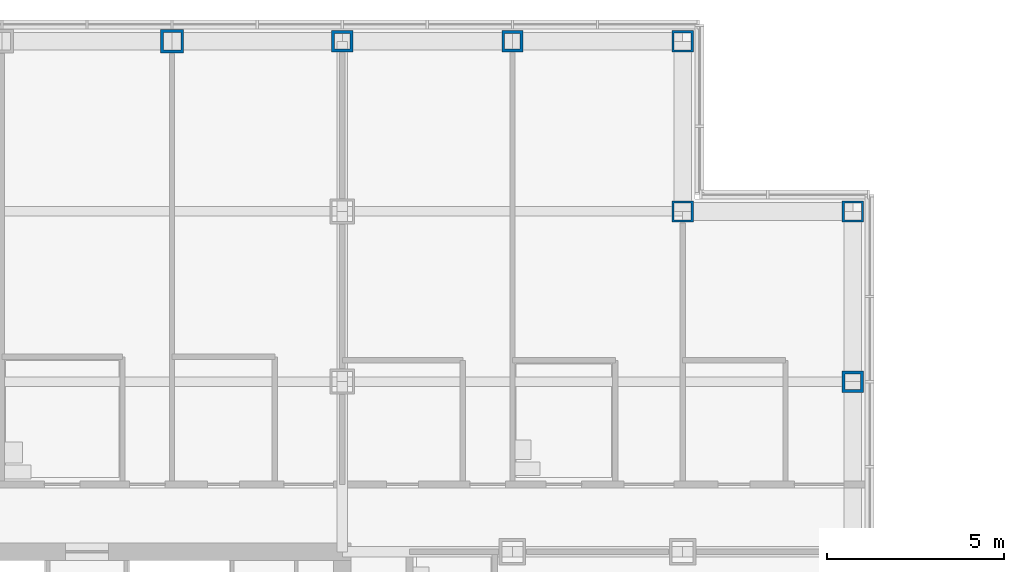
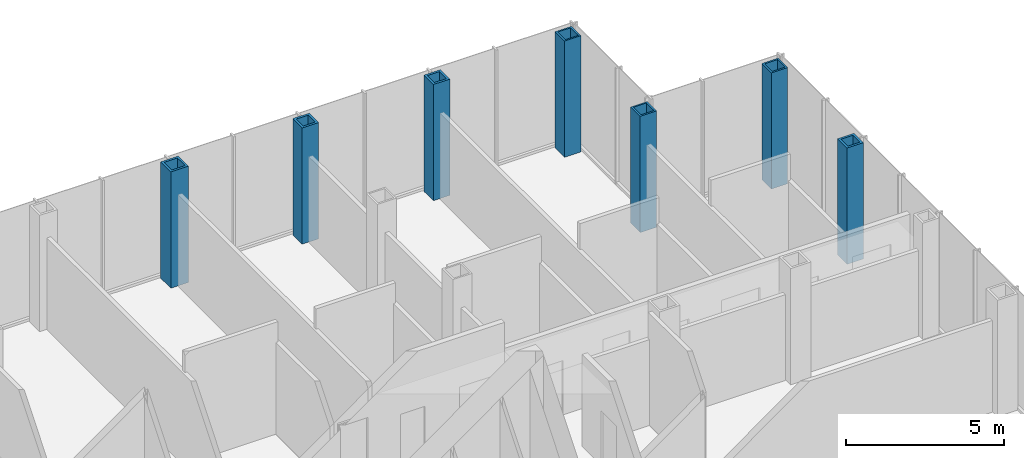
# One storey, part 10 of 28: 7 columns.
"""IFC4 building model written with IfcOpenShell, lengths in metres."""

from ifc_helpers import new_model, si_unit, direction, frame, origin, origin_2d, place, context, subcontext, project, spatial, hollow_rectangle, extrude, material, material_profile, profile_set, type_object, element, save


model = new_model("IFC4")

# Units and contexts
model_context = context("Model", 3, precision=1e-05, world=origin(), true_north=direction((0.0, 1.0)))
body_context = subcontext(model_context, "Body", "Model", "MODEL_VIEW")
ifc_project = project(units=[si_unit("LENGTHUNIT", "METRE"), si_unit("AREAUNIT", "SQUARE_METRE"), si_unit("VOLUMEUNIT", "CUBIC_METRE"), si_unit("PLANEANGLEUNIT", "RADIAN"), si_unit("MASSUNIT", "GRAM", prefix="KILO")], contexts=[model_context])

# Site, building, storey
site_placement = place(None, origin())
site = spatial("IfcSite", under=ifc_project, at=site_placement, CompositionType="ELEMENT")
building_placement = place(site_placement, origin())
building = spatial("IfcBuilding", under=site, at=building_placement, Name="Kvirike Care Tower", CompositionType="ELEMENT")
storey_placement = place(building_placement, frame((0.0, 0.0, 4.5)))
storey = spatial("IfcBuildingStorey", under=building, at=storey_placement, Name="L01", CompositionType="ELEMENT", Elevation=4.5)

# Columns
ifc_material_1 = material(Name="Steel S460", Category="steel")
ifc_material_profile_1 = material_profile(ifc_material_1, hollow_rectangle(XDim=0.60009765625, YDim=0.60009765625, WallThickness=0.06005859375, at=origin_2d()), Name="BX 600x600x60")
ifc_profile_set_1 = profile_set([ifc_material_profile_1], Name="Steel S460")
column_type_1 = type_object("IfcColumnType", Name="COLUMN BX 600x600x60", PredefinedType="COLUMN", material=ifc_profile_set_1)
for number, where, z_axis, x_axis, name in (
    (1, (38.39990234375, 52.800048828125, 0.0), (0.0, 0.0, 1.0), (0.0, 1.0, 0.0), "Column M11 L01"),
    (2, (38.39990234375, 57.60009765625, 0.0), (0.0, 0.0, 1.0), (0.0, 1.0, 0.0), "Column N11 L01"),
    (3, (43.199951171875, 52.800048828125, 0.0), (0.0, 0.0, 1.0), (0.0, 1.0, 0.0), "Column M12 L01"),
):
    element("IfcColumn", number, at=place(storey_placement, frame(where, z_axis=z_axis, x_axis=x_axis)), inside=storey, type_object=column_type_1, Name=name, PredefinedType="COLUMN", context=body_context, shape_type="SweptSolid", body=[
        extrude(hollow_rectangle(XDim=0.60009765625, YDim=0.60009765625, WallThickness=0.06005859375, at=origin_2d()), origin(), (0.0, 0.0, 1.0), 4.5),
    ])
ifc_material_2 = material(Name="Steel S460", Category="steel")
ifc_material_profile_2 = material_profile(ifc_material_2, hollow_rectangle(XDim=0.60009765625, YDim=0.60009765625, WallThickness=0.080078125, at=origin_2d()), Name="BX 600x600x80")
ifc_profile_set_2 = profile_set([ifc_material_profile_2], Name="Steel S460")
column_type_2 = type_object("IfcColumnType", Name="COLUMN BX 600x600x80", PredefinedType="COLUMN", material=ifc_profile_set_2)
for number, where, z_axis, x_axis, name in (
    (4, (28.800048828125, 57.60009765625, 0.0), (0.0, 0.0, 1.0), (0.0, 1.0, 0.0), "Column N9 L01"),
    (5, (33.60009765625, 57.60009765625, 0.0), (0.0, 0.0, 1.0), (0.0, 1.0, 0.0), "Column N10 L01"),
    (6, (43.199951171875, 48.0, 0.0), (0.0, 0.0, 1.0), (1.0, 0.0, 0.0), "Column L12 L01"),
):
    element("IfcColumn", number, at=place(storey_placement, frame(where, z_axis=z_axis, x_axis=x_axis)), inside=storey, type_object=column_type_2, Name=name, PredefinedType="COLUMN", context=body_context, shape_type="SweptSolid", body=[
        extrude(hollow_rectangle(XDim=0.60009765625, YDim=0.60009765625, WallThickness=0.080078125, at=origin_2d()), origin(), (0.0, 0.0, 1.0), 4.5),
    ])
ifc_material_3 = material(Name="Steel S460", Category="steel")
ifc_material_profile_3 = material_profile(ifc_material_3, hollow_rectangle(XDim=0.64990234375, YDim=0.64990234375, WallThickness=0.080078125, at=origin_2d()), Name="BX 650x650x80")
ifc_profile_set_3 = profile_set([ifc_material_profile_3], Name="Steel S460")
column_type_3 = type_object("IfcColumnType", Name="COLUMN BX 650x650x80", PredefinedType="COLUMN", material=ifc_profile_set_3)
column_placement = place(storey_placement, frame((24.0, 57.60009765625, 0.0), z_axis=(0.0, 0.0, 1.0), x_axis=(0.0, 1.0, 0.0)))
element("IfcColumn", 7, at=column_placement, inside=storey, type_object=column_type_3, Name="Column N8 L01", PredefinedType="COLUMN", context=body_context, shape_type="SweptSolid", body=[
    extrude(hollow_rectangle(XDim=0.64990234375, YDim=0.64990234375, WallThickness=0.080078125, at=origin_2d()), origin(), (0.0, 0.0, 1.0), 4.5),
])

save(model, "model.ifc")
